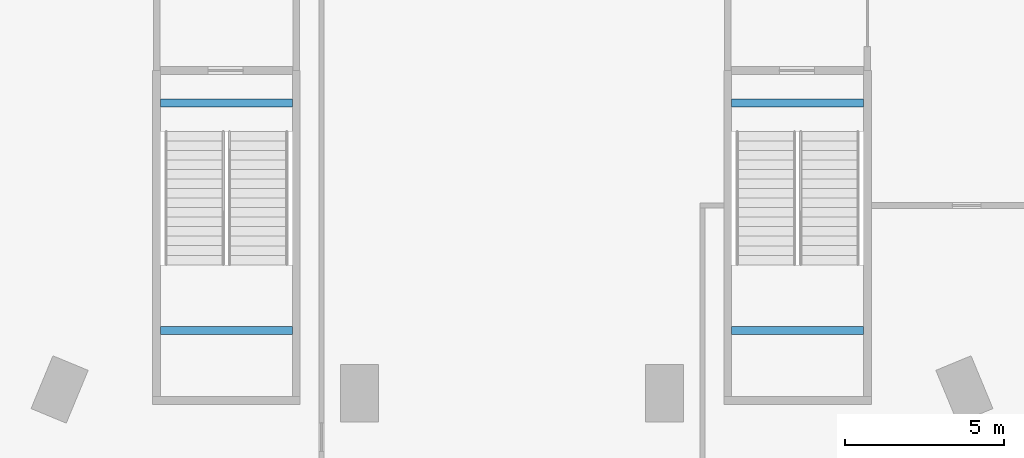
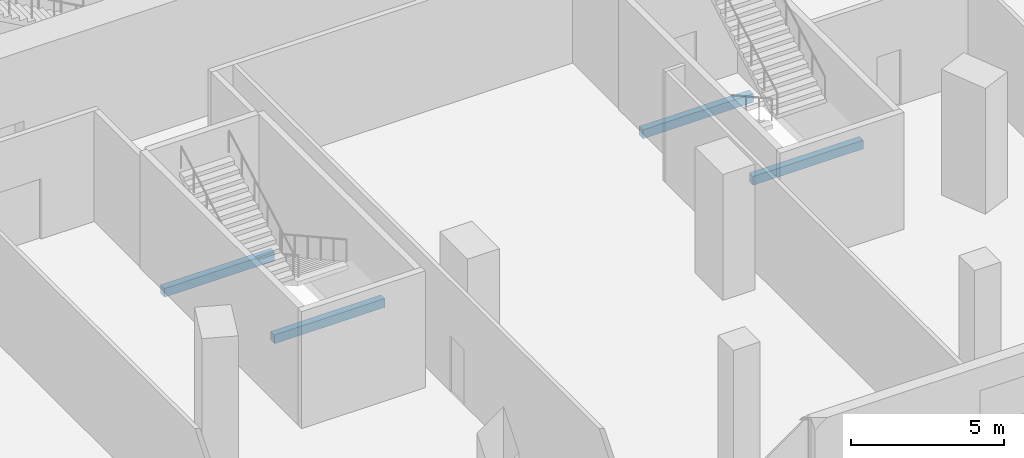
# One storey, part 5 of 32: 4 beams.
"""IFC4 building model written with IfcOpenShell, lengths in metres."""

from ifc_helpers import new_model, si_unit, direction, frame, origin, origin_2d, place, context, subcontext, project, spatial, rectangle, extrude, material, material_profile, profile_set, type_object, element, save


model = new_model("IFC4")

# Units and contexts
model_context = context("Model", 3, precision=1e-05, world=origin(), true_north=direction((0.0, 1.0)))
body_context = subcontext(model_context, "Body", "Model", "MODEL_VIEW")
ifc_project = project(units=[si_unit("LENGTHUNIT", "METRE"), si_unit("AREAUNIT", "SQUARE_METRE"), si_unit("VOLUMEUNIT", "CUBIC_METRE"), si_unit("PLANEANGLEUNIT", "RADIAN"), si_unit("MASSUNIT", "GRAM", prefix="KILO")], contexts=[model_context])

# Site, building, storey
site_placement = place(None, origin())
site = spatial("IfcSite", under=ifc_project, at=site_placement, CompositionType="ELEMENT")
building_placement = place(site_placement, origin())
building = spatial("IfcBuilding", under=site, at=building_placement, Name="Msitu Wima Residences", CompositionType="ELEMENT")
storey_placement = place(building_placement, frame((0.0, 0.0, 6.0)))
storey = spatial("IfcBuildingStorey", under=building, at=storey_placement, Name="L01", CompositionType="ELEMENT", Elevation=6.0)

# Beams
ifc_material = material(Name="Concrete C40/50", Category="concrete")
ifc_material_profile = material_profile(ifc_material, rectangle(XDim=0.25, YDim=0.35009765625, at=origin_2d()), Name="RC 250x350")
ifc_profile_set = profile_set([ifc_material_profile], Name="Concrete C40/50")
beam_type = type_object("IfcBeamType", Name="Landing beam RC 250x350", PredefinedType="BEAM", material=ifc_profile_set)
for number, where, z_axis, x_axis, name in (
    (1, (6.925048828125, -26.60009765625, 2.125), (1.0, 0.0, 0.0), (0.0, 1.0, 0.0), "Podium exit stair 7 landing beam"),
    (2, (6.925048828125, -19.425048828125, -0.375), (1.0, 0.0, 0.0), (0.0, 1.0, 0.0), "Podium exit stair 7 floor landing beam"),
    (3, (-6.925048828125, -26.60009765625, 2.125), (-1.0, 0.0, 0.0), (0.0, -1.0, 0.0), "Podium exit stair 8 landing beam"),
    (4, (-6.925048828125, -19.425048828125, -0.375), (-1.0, 0.0, 0.0), (0.0, -1.0, 0.0), "Podium exit stair 8 floor landing beam"),
):
    element("IfcBeam", number, at=place(storey_placement, frame(where, z_axis=z_axis, x_axis=x_axis)), inside=storey, type_object=beam_type, Name=name, PredefinedType="BEAM", context=body_context, shape_type="SweptSolid", body=[
        extrude(rectangle(XDim=0.25, YDim=0.35009765625, at=origin_2d()), origin(), (0.0, 0.0, 1.0), 4.14990234375),
    ])

save(model, "model.ifc")
